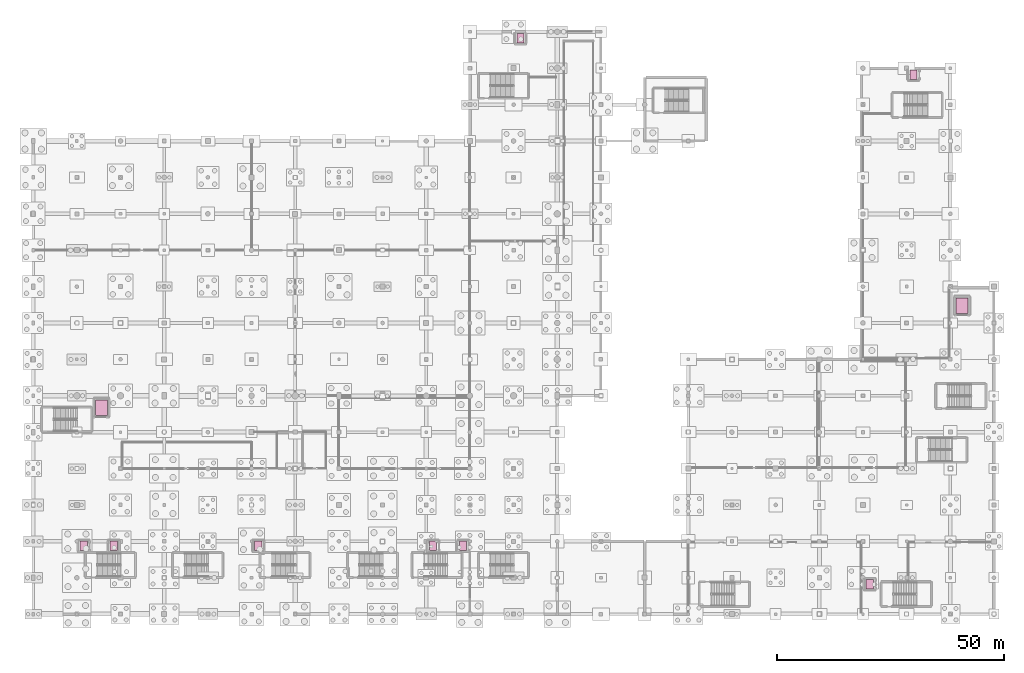
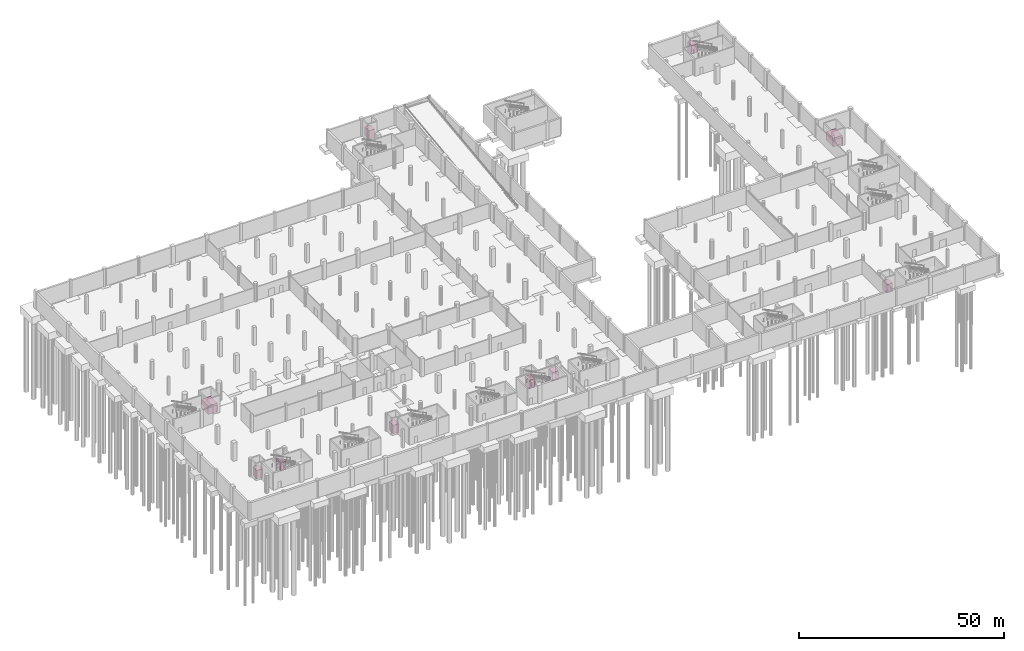
# One storey, part 44 of 44: 10 transport elements.
"""IFC4 building model written with IfcOpenShell, lengths in metres."""

from ifc_helpers import new_model, si_unit, direction, frame, origin, origin_2d, place, context, subcontext, project, spatial, rectangle, extrude, material, type_object, element, save


model = new_model("IFC4")

# Units and contexts
model_context = context("Model", 3, precision=1e-05, world=origin(), true_north=direction((0.0, 1.0)))
body_context = subcontext(model_context, "Body", "Model", "MODEL_VIEW")
ifc_project = project(units=[si_unit("LENGTHUNIT", "METRE"), si_unit("AREAUNIT", "SQUARE_METRE"), si_unit("VOLUMEUNIT", "CUBIC_METRE"), si_unit("PLANEANGLEUNIT", "RADIAN"), si_unit("MASSUNIT", "GRAM", prefix="KILO")], contexts=[model_context])

# Site, building, storey
site_placement = place(None, origin())
site = spatial("IfcSite", under=ifc_project, at=site_placement, CompositionType="ELEMENT")
building_placement = place(site_placement, origin())
building = spatial("IfcBuilding", under=site, at=building_placement, Name="Danafjord Basin Convention Centre", CompositionType="ELEMENT")
storey_placement = place(building_placement, frame((0.0, 0.0, -5.39990234375)))
storey = spatial("IfcBuildingStorey", under=building, at=storey_placement, Name="B1", CompositionType="ELEMENT", Elevation=-5.39990234375)

# Transport elements
ifc_material = material(Name="Brushed stainless steel EN 1.4301", Category="steel")
transport_element_type_1 = type_object("IfcTransportElementType", Name="LFT-FIRE", PredefinedType="ELEVATOR", material=ifc_material)
for number, where, z_axis, x_axis, name in (
    (1, (11.10009765625, 23.0, 0.0498046875), (0.0, 0.0, 1.0), (1.0, 0.0, 0.0), "Firefighting Lift FF01 (LF-FF01)"),
    (2, (87.89990234375, 23.0, 0.0498046875), (0.0, 0.0, 1.0), (1.0, 0.0, 0.0), "Firefighting Lift FF02 (LF-FF02)"),
):
    element("IfcTransportElement", number, at=place(storey_placement, frame(where, z_axis=z_axis, x_axis=x_axis)), inside=storey, type_object=transport_element_type_1, Name=name, PredefinedType="ELEVATOR", context=body_context, shape_type="SweptSolid", body=[
        extrude(rectangle(XDim=1.60009765625, YDim=2.10009765625, at=origin_2d()), origin(), (0.0, 0.0, 1.0), 2.550048828125),
    ])
transport_element_type_2 = type_object("IfcTransportElementType", Name="LFT-GOODS", PredefinedType="ELEVATOR", material=ifc_material)
for number, where, z_axis, x_axis, name in (
    (3, (15.0, 53.39990234375, 0.0498046875), (0.0, 0.0, 1.0), (1.0, 0.0, 0.0), "Goods Lift G01 (LF-G01)"),
    (4, (204.199951171875, 75.800048828125, 0.0498046875), (0.0, 0.0, 1.0), (1.0, 0.0, 0.0), "Goods Lift G02 (LF-G02)"),
):
    element("IfcTransportElement", number, at=place(storey_placement, frame(where, z_axis=z_axis, x_axis=x_axis)), inside=storey, type_object=transport_element_type_2, Name=name, PredefinedType="ELEVATOR", context=body_context, shape_type="SweptSolid", body=[
        extrude(rectangle(XDim=2.60009765625, YDim=3.39990234375, at=origin_2d()), origin(), (0.0, 0.0, 1.0), 2.550048828125),
    ])
transport_element_type_3 = type_object("IfcTransportElementType", Name="LFT-PASS", PredefinedType="ELEVATOR", material=ifc_material)
for number, where, z_axis, x_axis, name in (
    (5, (17.699951171875, 23.0, 0.0498046875), (0.0, 0.0, 1.0), (1.0, 0.0, 0.0), "Passenger Lift P01 (LF-P01)"),
    (6, (94.5, 23.0, 0.0498046875), (0.0, 0.0, 1.0), (1.0, 0.0, 0.0), "Passenger Lift P02 (LF-P02)"),
    (7, (49.5, 23.0, 0.0498046875), (0.0, 0.0, 1.0), (1.0, 0.0, 0.0), "Passenger Lift P03 (LF-P03)"),
    (8, (107.10009765625, 134.60009765625, 0.0498046875), (0.0, 0.0, 1.0), (1.0, 0.0, 0.0), "Passenger Lift P04 (LF-P04)"),
    (9, (193.5, 126.60009765625, 0.0498046875), (0.0, 0.0, 1.0), (1.0, 0.0, 0.0), "Passenger Lift P05 (LF-P05)"),
    (10, (183.89990234375, 14.60009765625, 0.0498046875), (0.0, 0.0, 1.0), (1.0, 0.0, 0.0), "Passenger Lift P06 (LF-P06)"),
):
    element("IfcTransportElement", number, at=place(storey_placement, frame(where, z_axis=z_axis, x_axis=x_axis)), inside=storey, type_object=transport_element_type_3, Name=name, PredefinedType="ELEVATOR", context=body_context, shape_type="SweptSolid", body=[
        extrude(rectangle(XDim=1.60009765625, YDim=2.10009765625, at=origin_2d()), origin(), (0.0, 0.0, 1.0), 2.550048828125),
    ])

save(model, "model.ifc")
